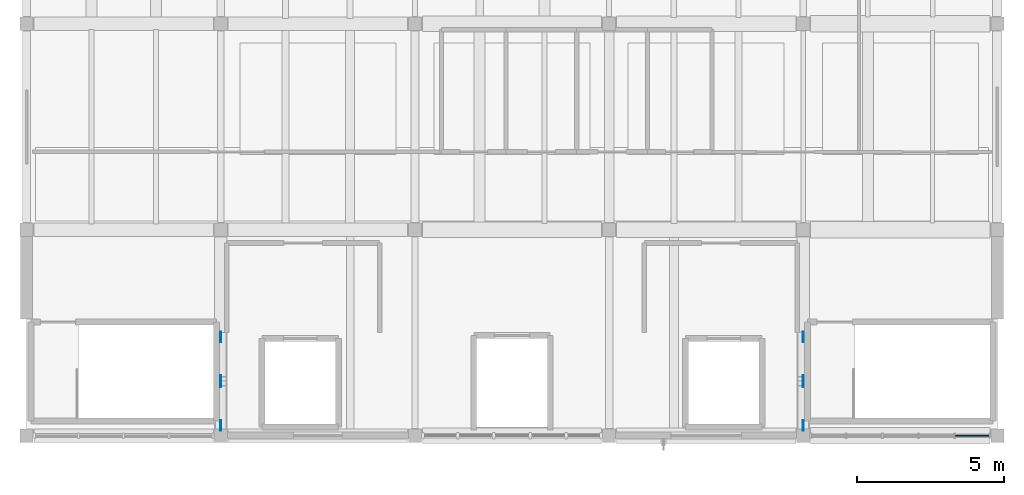
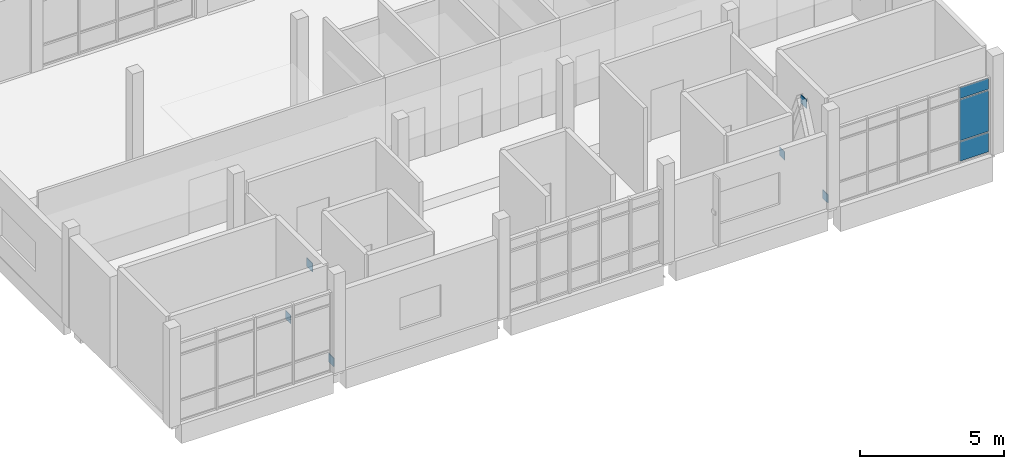
# One storey, part 7 of 10: 9 plates, 1 element without a shape of its own.
"""IFC4 building model written with IfcOpenShell, lengths in metres."""

import ifcopenshell
import ifcopenshell.guid

model = None  # the IFC model being written
_history = None  # IfcOwnerHistory: only IFC2X3 demands one
_inside = {}  # id of a spatial element -> (the spatial element, [elements in it])
_under = {}  # id of a project, library or spatial element -> (it, [spatial elements below it])
_declared = {}  # id of a project -> (the project, [libraries it declares])
_typed = {}  # id of a type object -> (the type object, [elements of that type])
_made_of = {}  # id of a material, layer set ... -> (it, [elements and type objects made of it])


def new_model(schema):
    """Start an empty IFC model of exactly this schema.

    Asked for "IFC4X3", IfcOpenShell would pick the latest addendum, in which some entities
    have other attributes; the version numbers below select the first issue.
    IFC2X3 requires an IfcOwnerHistory on every rooted entity: one is made here for all.
    """
    global model, _history
    if schema == "IFC4X3":
        model = ifcopenshell.file(schema_version=(4, 3, 0, 0))
    else:
        model = ifcopenshell.file(schema=schema)
    _inside.clear()
    _under.clear()
    _declared.clear()
    _typed.clear()
    _made_of.clear()
    _history = None
    if model.schema == "IFC2X3":
        org = make("IfcOrganization", Name="unknown")
        user = make(
            "IfcPersonAndOrganization",
            ThePerson=make("IfcPerson", FamilyName="unknown"),
            TheOrganization=org,
        )
        app = make(
            "IfcApplication",
            ApplicationDeveloper=org,
            Version="unknown",
            ApplicationFullName="unknown",
            ApplicationIdentifier="unknown",
        )
        _history = make(
            "IfcOwnerHistory",
            OwningUser=user,
            OwningApplication=app,
            ChangeAction="ADDED",
            CreationDate=0,
        )
    return model


def make(cls, **values):
    """One entity of the class cls with the attributes given. An attribute that is None is left unset."""
    return model.create_entity(
        cls, **{name: value for name, value in values.items() if value is not None}
    )


def rooted(cls, **values):
    """An entity with a GlobalId (a new one), such as an element, a storey or a relation."""
    return make(cls, GlobalId=ifcopenshell.guid.new(), OwnerHistory=_history, **values)


def si_unit(unit_type, name, prefix=None):
    """IfcSIUnit, for example si_unit("LENGTHUNIT", "METRE", prefix="MILLI")."""
    return make("IfcSIUnit", UnitType=unit_type, Prefix=prefix, Name=name)


def assignment(units):
    """IfcUnitAssignment: the units of a project."""
    return None if units is None else make("IfcUnitAssignment", Units=units)


def point(xyz):
    """IfcCartesianPoint."""
    return None if xyz is None else make("IfcCartesianPoint", Coordinates=xyz)


def direction(xyz):
    """IfcDirection."""
    return None if xyz is None else make("IfcDirection", DirectionRatios=xyz)


def frame(location, z_axis=None, x_axis=None):
    """IfcAxis2Placement3D, a coordinate frame: its origin and axes. An axis left out is left unset."""
    return make(
        "IfcAxis2Placement3D",
        Location=point(location),
        Axis=direction(z_axis),
        RefDirection=direction(x_axis),
    )


def frame_2d(location, x_axis=None):
    """IfcAxis2Placement2D, a coordinate frame in the plane: its origin and x axis."""
    return make(
        "IfcAxis2Placement2D", Location=point(location), RefDirection=direction(x_axis)
    )


def origin():
    """The frame at (0, 0, 0) with its axes left unset."""
    return frame((0.0, 0.0, 0.0))


def origin_2d():
    """The frame at (0, 0) in the plane with its x axis left unset."""
    return frame_2d((0.0, 0.0))


def place(relative_to, where):
    """IfcLocalPlacement: puts the frame where relative to a parent placement (None: the world)."""
    return make(
        "IfcLocalPlacement", PlacementRelTo=relative_to, RelativePlacement=where
    )


def context(
    kind, dimensions, precision=None, world=None, true_north=None, identifier=None
):
    """IfcGeometricRepresentationContext, for example the 3D "Model" context."""
    return make(
        "IfcGeometricRepresentationContext",
        ContextIdentifier=identifier,
        ContextType=kind,
        CoordinateSpaceDimension=dimensions,
        Precision=precision,
        WorldCoordinateSystem=world,
        TrueNorth=true_north,
    )


def subcontext(parent, identifier, kind, view, scale=None):
    """IfcGeometricRepresentationSubContext, for example "Body" below "Model"."""
    return make(
        "IfcGeometricRepresentationSubContext",
        ContextIdentifier=identifier,
        ContextType=kind,
        ParentContext=parent,
        TargetScale=scale,
        TargetView=view,
    )


def project(units=None, contexts=None):
    """IfcProject with its units and contexts."""
    return rooted(
        "IfcProject",
        Name="project",
        RepresentationContexts=contexts,
        UnitsInContext=assignment(units),
    )


def spatial(cls, under=None, at=None, **own):
    """A site, building, storey or space (cls), placed at a placement, below another one or the project."""
    s = rooted(cls, ObjectPlacement=at, **own)
    if under is not None:
        _under.setdefault(under.id(), (under, []))[1].append(s)
    return s


def profile(cls, at=None, kind="AREA", **sizes):
    """A parametric profile (cls). Its sizes go by their IFC names, for example OverallWidth=200.0."""
    return make(cls, ProfileType=kind, Position=at, **sizes)


def rectangle(**sizes):
    """IfcRectangleProfileDef."""
    return profile("IfcRectangleProfileDef", **sizes)


def extrude(swept, where, along, depth):
    """IfcExtrudedAreaSolid: the profile swept, set in the frame where, extruded along a direction by depth."""
    return make(
        "IfcExtrudedAreaSolid",
        SweptArea=swept,
        Position=where,
        ExtrudedDirection=direction(along),
        Depth=depth,
    )


def shape(context_of_items, identifier, shape_type, items):
    """IfcShapeRepresentation: the items that make up one representation, for example the "Body"."""
    return make(
        "IfcShapeRepresentation",
        ContextOfItems=context_of_items,
        RepresentationIdentifier=identifier,
        RepresentationType=shape_type,
        Items=items,
    )


def material(Name=None, Category=None):
    """IfcMaterial."""
    return make("IfcMaterial", Name=Name, Category=Category)


def layer(
    of_material, thickness, ventilated=None, Name=None, Category=None, Priority=None
):
    """IfcMaterialLayer: one layer of a wall or slab, of a material (None: an air gap)."""
    return make(
        "IfcMaterialLayer",
        Material=of_material,
        LayerThickness=thickness,
        IsVentilated=ventilated,
        Name=Name,
        Category=Category,
        Priority=Priority,
    )


def layer_set(layers, Name=None):
    """IfcMaterialLayerSet."""
    return make("IfcMaterialLayerSet", MaterialLayers=layers, LayerSetName=Name)


def made_of(thing, what):
    """Note that an element or type object is made of a material, layer set ...; save() writes the relation."""
    if what is not None:
        _made_of.setdefault(what.id(), (what, []))[1].append(thing)
    return thing


def type_object(cls, material=None, **own):
    """A type object (cls), such as IfcWallType, which elements share."""
    return made_of(rooted(cls, **own), material)


def element(
    cls,
    number,
    at=None,
    inside=None,
    cuts=None,
    type_object=None,
    material=None,
    context=None,
    identifier="Body",
    shape_type=None,
    held_by="IfcProductDefinitionShape",
    body=None,
    shapes=None,
    **own,
):
    """One element of the class cls, such as IfcWall. Its Tag is "e" and its number.

    at: its placement. inside: the storey or other place that contains it. cuts: it is an
    opening in that element (IfcRelVoidsElement). A single representation is given by context,
    identifier, shape_type and body (its items); several are given by shapes. held_by: the class
    of the entity that holds the representations. save() writes the other relations.
    """
    e = rooted(cls, Tag="e%d" % number, ObjectPlacement=at, **own)
    if body is not None:
        shapes = [shape(context, identifier, shape_type, body)]
    if shapes is not None:
        e.Representation = make(held_by, Representations=shapes)
    if inside is not None:
        _inside.setdefault(inside.id(), (inside, []))[1].append(e)
    if cuts is not None:
        rooted(
            "IfcRelVoidsElement", RelatingBuildingElement=cuts, RelatedOpeningElement=e
        )
    if type_object is not None:
        _typed.setdefault(type_object.id(), (type_object, []))[1].append(e)
    return made_of(e, material)


def aggregate(whole, parts):
    """IfcRelAggregates: a whole, such as a stair, and the parts it consists of."""
    return rooted("IfcRelAggregates", RelatingObject=whole, RelatedObjects=parts)


def save(model, path):
    """Write the relations noted so far, then the file.

    IfcRelAggregates (storeys below a building ...), IfcRelContainedInSpatialStructure (elements
    in a storey), IfcRelDefinesByType, IfcRelAssociatesMaterial and IfcRelDeclares: one each for
    every whole, place, type object, material and project.
    """
    for whole, parts in _under.values():
        aggregate(whole, parts)
    for where, things in _inside.values():
        rooted(
            "IfcRelContainedInSpatialStructure",
            RelatedElements=things,
            RelatingStructure=where,
        )
    for kind, things in _typed.values():
        rooted("IfcRelDefinesByType", RelatedObjects=things, RelatingType=kind)
    for what, things in _made_of.values():
        rooted("IfcRelAssociatesMaterial", RelatedObjects=things, RelatingMaterial=what)
    for by, libraries in _declared.values():
        rooted("IfcRelDeclares", RelatingContext=by, RelatedDefinitions=libraries)
    model.write(path)


model = new_model("IFC4")

# Units and contexts
model_context = context("Model", 3, precision=1e-05, world=origin(), true_north=direction((0.0, 1.0)))
body_context = subcontext(model_context, "Body", "Model", "MODEL_VIEW")
ifc_project = project(units=[si_unit("LENGTHUNIT", "METRE"), si_unit("AREAUNIT", "SQUARE_METRE"), si_unit("VOLUMEUNIT", "CUBIC_METRE"), si_unit("PLANEANGLEUNIT", "RADIAN"), si_unit("MASSUNIT", "GRAM", prefix="KILO")], contexts=[model_context])

# Site, building, storey
site_placement = place(None, origin())
site = spatial("IfcSite", under=ifc_project, at=site_placement, CompositionType="ELEMENT")
building_placement = place(site_placement, origin())
building = spatial("IfcBuilding", under=site, at=building_placement, Name="Ciguamira Faculty of Natural Sciences", CompositionType="ELEMENT")
storey_placement = place(building_placement, frame((0.0, 0.0, 46.199951171875)))
storey = spatial("IfcBuildingStorey", under=building, at=storey_placement, Name="L11", CompositionType="ELEMENT", Elevation=46.199951171875)

# Curtain wall, plates
ifc_material_1 = material(Name="Anodized aluminium curtain wall", Category="aluminium")
curtain_wall_type = type_object("IfcCurtainWallType", Name="CurtainWall_CW-04", PredefinedType="USERDEFINED", material=ifc_material_1)
curtain_wall_placement = place(storey_placement, origin())
curtain_wall = element("IfcCurtainWall", 1, at=curtain_wall_placement, inside=storey, type_object=curtain_wall_type, Name="L11 unitised curtain wall 0172", ObjectType="UNITISED CURTAIN WALL", PredefinedType="USERDEFINED")
ifc_material_2 = material(Name="Low-E laminated solar glass", Category="glass")
ifc_layer_1 = layer(ifc_material_2, 0.035888671875, Name="Low-E laminated solar glass")
ifc_layer_set_1 = layer_set([ifc_layer_1], Name="Low-E laminated solar glass")
plate_type_1 = type_object("IfcPlateType", Name="CWPanel_CWP-02", PredefinedType="CURTAIN_PANEL", material=ifc_layer_set_1)
plate_1_placement = place(storey_placement, frame((102.64501953125, 94.0, 0.06005859375), z_axis=(0.0, 0.0, 1.0), x_axis=(1.0, 0.0, 0.0)))
plate_1 = element("IfcPlate", 2, at=plate_1_placement, type_object=plate_type_1, Name="CW-04 panel 5.1", PredefinedType="CURTAIN_PANEL", context=body_context, shape_type="SweptSolid", body=[
    extrude(rectangle(XDim=1.139892578125, YDim=0.035888671875, at=origin_2d()), origin(), (0.0, 0.0, 1.0), 0.81005859375),
])
plate_2_placement = place(storey_placement, frame((102.64501953125, 94.0, 0.929931640625), z_axis=(0.0, 0.0, 1.0), x_axis=(1.0, 0.0, 0.0)))
plate_2 = element("IfcPlate", 3, at=plate_2_placement, type_object=plate_type_1, Name="CW-04 panel 5.2", PredefinedType="CURTAIN_PANEL", context=body_context, shape_type="SweptSolid", body=[
    extrude(rectangle(XDim=1.139892578125, YDim=0.035888671875, at=origin_2d()), origin(), (0.0, 0.0, 1.0), 1.72509765625),
])
plate_3_placement = place(storey_placement, frame((102.64501953125, 94.0, 2.715087890625), z_axis=(0.0, 0.0, 1.0), x_axis=(1.0, 0.0, 0.0)))
plate_3 = element("IfcPlate", 4, at=plate_3_placement, type_object=plate_type_1, Name="CW-04 panel 5.3", PredefinedType="CURTAIN_PANEL", context=body_context, shape_type="SweptSolid", body=[
    extrude(rectangle(XDim=1.139892578125, YDim=0.035888671875, at=origin_2d()), origin(), (0.0, 0.0, 1.0), 0.4599609375),
])
aggregate(curtain_wall, [plate_1, plate_2, plate_3])

# Plates
ifc_material_3 = material(Name="Steel ASTM A572 Grade 50", Category="steel")
ifc_layer_2 = layer(ifc_material_3, 0.02001953125, Name="Steel ASTM A572 Grade 50")
ifc_layer_set_2 = layer_set([ifc_layer_2], Name="Steel ASTM A572 Grade 50")
plate_type_2 = type_object("IfcPlateType", Name="GussetPlate_EP-02", PredefinedType="SHEET", material=ifc_layer_set_2)
plate_4_placement = place(storey_placement, frame((77.10009765625, 95.85009765625, 3.10009765625), z_axis=(0.0, 0.0, 1.0), x_axis=(1.0, 0.0, 0.0)))
element("IfcPlate", 5, at=plate_4_placement, inside=storey, type_object=plate_type_2, Name="L11 chevron brace apex gusset plate 025", PredefinedType="SHEET", context=body_context, shape_type="SweptSolid", body=[
    extrude(rectangle(XDim=0.02001953125, YDim=0.419921875, at=origin_2d()), origin(), (0.0, 0.0, 1.0), 0.360107421875),
])
for number, where, z_axis, x_axis, name in (
    (6, (77.10009765625, 94.35009765625, -0.02001953125), (0.0, 0.0, 1.0), (1.0, 0.0, 0.0), "L11 chevron brace base gusset plate 049"),
    (7, (77.10009765625, 97.35009765625, -0.02001953125), (0.0, 0.0, 1.0), (1.0, 0.0, 0.0), "L11 chevron brace base gusset plate 050"),
):
    element("IfcPlate", number, at=place(storey_placement, frame(where, z_axis=z_axis, x_axis=x_axis)), inside=storey, type_object=plate_type_2, Name=name, PredefinedType="SHEET", context=body_context, shape_type="SweptSolid", body=[
        extrude(rectangle(XDim=0.02001953125, YDim=0.360107421875, at=origin_2d()), origin(), (0.0, 0.0, 1.0), 0.360107421875),
    ])
plate_5_placement = place(storey_placement, frame((96.89990234375, 95.85009765625, 3.10009765625), z_axis=(0.0, 0.0, 1.0), x_axis=(1.0, 0.0, 0.0)))
element("IfcPlate", 8, at=plate_5_placement, inside=storey, type_object=plate_type_2, Name="L11 chevron brace apex gusset plate 026", PredefinedType="SHEET", context=body_context, shape_type="SweptSolid", body=[
    extrude(rectangle(XDim=0.02001953125, YDim=0.419921875, at=origin_2d()), origin(), (0.0, 0.0, 1.0), 0.360107421875),
])
for number, where, z_axis, x_axis, name in (
    (9, (96.89990234375, 94.35009765625, -0.02001953125), (0.0, 0.0, 1.0), (1.0, 0.0, 0.0), "L11 chevron brace base gusset plate 051"),
    (10, (96.89990234375, 97.35009765625, -0.02001953125), (0.0, 0.0, 1.0), (1.0, 0.0, 0.0), "L11 chevron brace base gusset plate 052"),
):
    element("IfcPlate", number, at=place(storey_placement, frame(where, z_axis=z_axis, x_axis=x_axis)), inside=storey, type_object=plate_type_2, Name=name, PredefinedType="SHEET", context=body_context, shape_type="SweptSolid", body=[
        extrude(rectangle(XDim=0.02001953125, YDim=0.360107421875, at=origin_2d()), origin(), (0.0, 0.0, 1.0), 0.360107421875),
    ])

save(model, "model.ifc")
